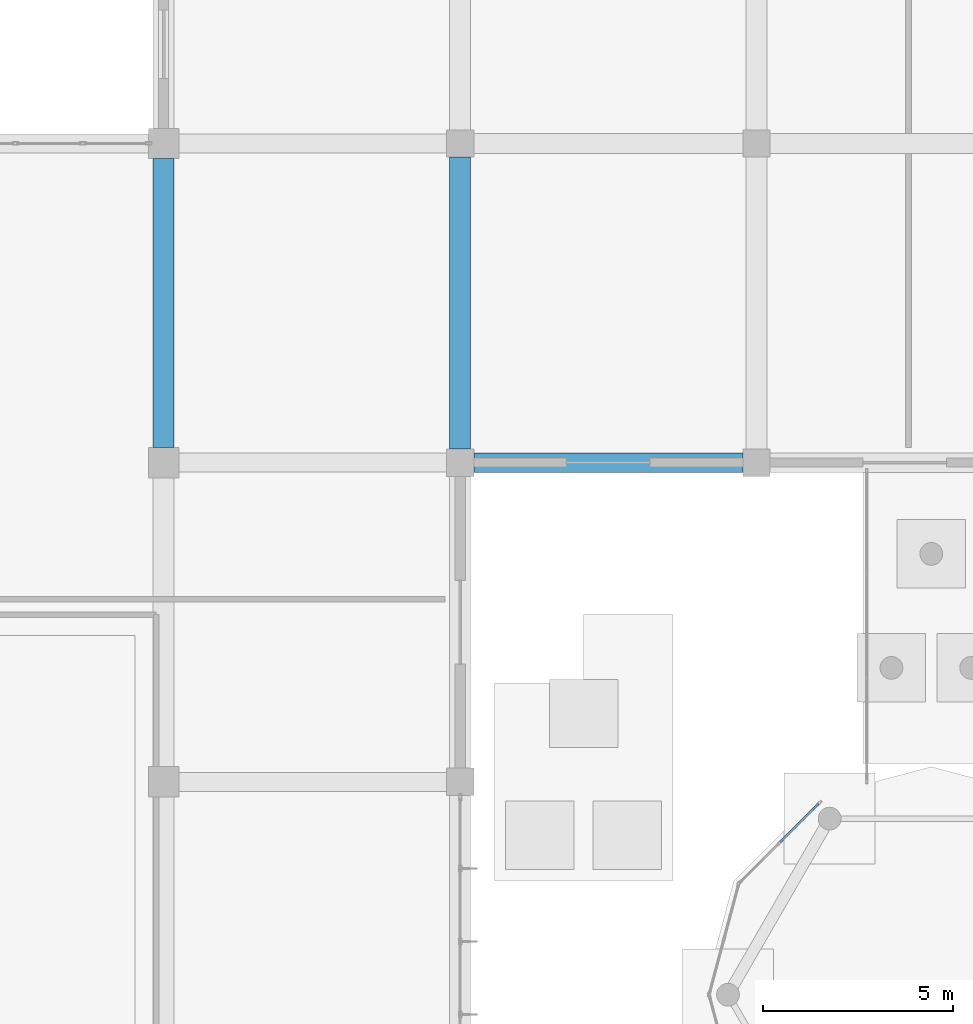
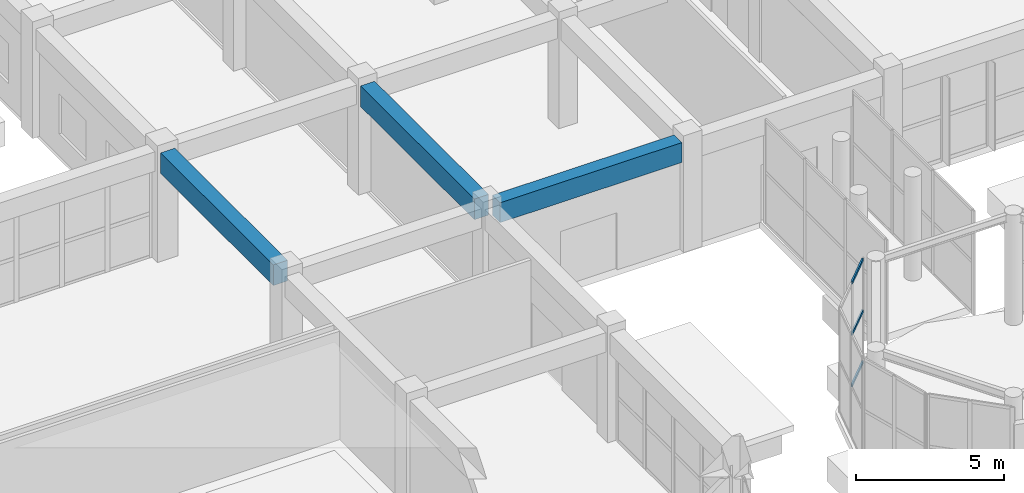
# One storey, part 55 of 139: 3 beams, 3 members, 1 element without a shape of its own.
"""IFC4 building model written with IfcOpenShell, lengths in metres."""

from ifc_helpers import new_model, si_unit, direction, frame, origin, origin_2d, place, context, subcontext, project, spatial, rectangle, hollow_rectangle, extrude, material, layer, layer_set, material_profile, profile_set, type_object, element, aggregate, save


model = new_model("IFC4")

# Units and contexts
model_context = context("Model", 3, precision=1e-05, world=origin(), true_north=direction((0.0, 1.0)))
body_context = subcontext(model_context, "Body", "Model", "MODEL_VIEW")
ifc_project = project(units=[si_unit("LENGTHUNIT", "METRE"), si_unit("AREAUNIT", "SQUARE_METRE"), si_unit("VOLUMEUNIT", "CUBIC_METRE"), si_unit("PLANEANGLEUNIT", "RADIAN"), si_unit("MASSUNIT", "GRAM", prefix="KILO")], contexts=[model_context])

# Site, building, storey
site_placement = place(None, origin())
site = spatial("IfcSite", under=ifc_project, at=site_placement, CompositionType="ELEMENT")
building_placement = place(site_placement, origin())
building = spatial("IfcBuilding", under=site, at=building_placement, Name="Zizhar Promenade General Hospital", CompositionType="ELEMENT")
storey_placement = place(building_placement, origin())
storey = spatial("IfcBuildingStorey", under=building, at=storey_placement, Name="L00", CompositionType="ELEMENT", Elevation=0.0)

# Beams
ifc_material_1 = material(Name="Concrete C35/45", Category="concrete")
ifc_material_profile_1 = material_profile(ifc_material_1, rectangle(XDim=0.52001953125, YDim=0.820068359375, at=origin_2d()))
ifc_profile_set_1 = profile_set([ifc_material_profile_1], Name="Concrete C35/45")
beam_type_1 = type_object("IfcBeamType", Name="BM-RC-520x820", PredefinedType="BEAM", material=ifc_profile_set_1)
beam_1_placement = place(storey_placement, frame((132.9599609375, 42.0, 4.06005859375), z_axis=(1.0, 0.0, 0.0), x_axis=(0.0, 1.0, 0.0)))
element("IfcBeam", 1, at=beam_1_placement, inside=storey, type_object=beam_type_1, Name="Grid Beam X L00 (17-5)", PredefinedType="BEAM", context=body_context, shape_type="SweptSolid", body=[
    extrude(rectangle(XDim=0.52001953125, YDim=0.820068359375, at=origin_2d()), origin(), (0.0, 0.0, 1.0), 7.080078125),
])
ifc_material_2 = material(Name="Concrete C35/45", Category="concrete")
ifc_material_profile_2 = material_profile(ifc_material_2, rectangle(XDim=0.550048828125, YDim=0.85009765625, at=origin_2d()))
ifc_profile_set_2 = profile_set([ifc_material_profile_2], Name="Concrete C35/45")
beam_type_2 = type_object("IfcBeamType", Name="BM-RC-550x850", PredefinedType="BEAM", material=ifc_profile_set_2)
beam_2_placement = place(storey_placement, frame((124.800048828125, 42.39990234375, 4.044921875), z_axis=(0.0, 1.0, 0.0), x_axis=(-1.0, 0.0, 0.0)))
element("IfcBeam", 2, at=beam_2_placement, inside=storey, type_object=beam_type_2, Name="Grid Beam Y L00 (16-5)", PredefinedType="BEAM", context=body_context, shape_type="SweptSolid", body=[
    extrude(rectangle(XDim=0.550048828125, YDim=0.85009765625, at=origin_2d()), origin(), (0.0, 0.0, 1.0), 7.60009765625),
])
beam_3_placement = place(storey_placement, frame((132.60009765625, 42.360107421875, 4.044921875), z_axis=(0.0, 1.0, 0.0), x_axis=(-1.0, 0.0, 0.0)))
element("IfcBeam", 3, at=beam_3_placement, inside=storey, type_object=beam_type_2, Name="Grid Beam Y L00 (17-5)", PredefinedType="BEAM", context=body_context, shape_type="SweptSolid", body=[
    extrude(rectangle(XDim=0.550048828125, YDim=0.85009765625, at=origin_2d()), origin(), (0.0, 0.0, 1.0), 7.679931640625),
])

# Curtain wall, members
ifc_material_3 = material(Name="Anodised aluminium 6063-T6 and low-E glass", Category="aluminium")
ifc_layer = layer(ifc_material_3, 0.159912109375)
ifc_layer_set = layer_set([ifc_layer], Name="Anodised aluminium 6063-T6 and low-E glass")
curtain_wall_type = type_object("IfcCurtainWallType", Name="CW-PAV-GLZ", PredefinedType="NOTDEFINED", material=ifc_layer_set)
curtain_wall_placement = place(storey_placement, origin())
curtain_wall = element("IfcCurtainWall", 4, at=curtain_wall_placement, inside=storey, type_object=curtain_wall_type, Name="Outpatient Welcome Pavilion Curved Glazing 5", PredefinedType="NOTDEFINED")
ifc_material_4 = material(Name="Anodised aluminium 6063-T6", Category="aluminium")
ifc_material_profile_3 = material_profile(ifc_material_4, hollow_rectangle(XDim=0.06005859375, YDim=0.1201171875, WallThickness=0.00390625, at=origin_2d()))
ifc_profile_set_3 = profile_set([ifc_material_profile_3], Name="Anodised aluminium 6063-T6")
member_type = type_object("IfcMemberType", Name="CWT-ALU-120x60", PredefinedType="USERDEFINED", material=ifc_profile_set_3)
member_1_placement = place(storey_placement, frame((141.025634765625, 32.016845703125, 0.030029296875), z_axis=(0.707106781187, 0.707106781187, 0.0), x_axis=(-0.707106781187, 0.707106781187, 0.0)))
member_1 = element("IfcMember", 5, at=member_1_placement, type_object=member_type, Name="CW-14 transom 2.1", ObjectType="TRANSOM", PredefinedType="USERDEFINED", context=body_context, shape_type="SweptSolid", body=[
    extrude(hollow_rectangle(XDim=0.06005859375, YDim=0.1201171875, WallThickness=0.00390625, at=origin_2d()), origin(), (0.0, 0.0, 1.0), 1.423828125),
])
member_2_placement = place(storey_placement, frame((141.025634765625, 32.016845703125, 2.139892578125), z_axis=(0.707106781187, 0.707106781187, 0.0), x_axis=(-0.707106781187, 0.707106781187, 0.0)))
member_2 = element("IfcMember", 6, at=member_2_placement, type_object=member_type, Name="CW-14 transom 2.2", ObjectType="TRANSOM", PredefinedType="USERDEFINED", context=body_context, shape_type="SweptSolid", body=[
    extrude(hollow_rectangle(XDim=0.06005859375, YDim=0.1201171875, WallThickness=0.00390625, at=origin_2d()), origin(), (0.0, 0.0, 1.0), 1.423828125),
])
member_3_placement = place(storey_placement, frame((141.025634765625, 32.016845703125, 4.25), z_axis=(0.707106781187, 0.707106781187, 0.0), x_axis=(-0.707106781187, 0.707106781187, 0.0)))
member_3 = element("IfcMember", 7, at=member_3_placement, type_object=member_type, Name="CW-14 transom 2.3", ObjectType="TRANSOM", PredefinedType="USERDEFINED", context=body_context, shape_type="SweptSolid", body=[
    extrude(hollow_rectangle(XDim=0.06005859375, YDim=0.1201171875, WallThickness=0.00390625, at=origin_2d()), origin(), (0.0, 0.0, 1.0), 1.423828125),
])
aggregate(curtain_wall, [member_1, member_2, member_3])

save(model, "model.ifc")
